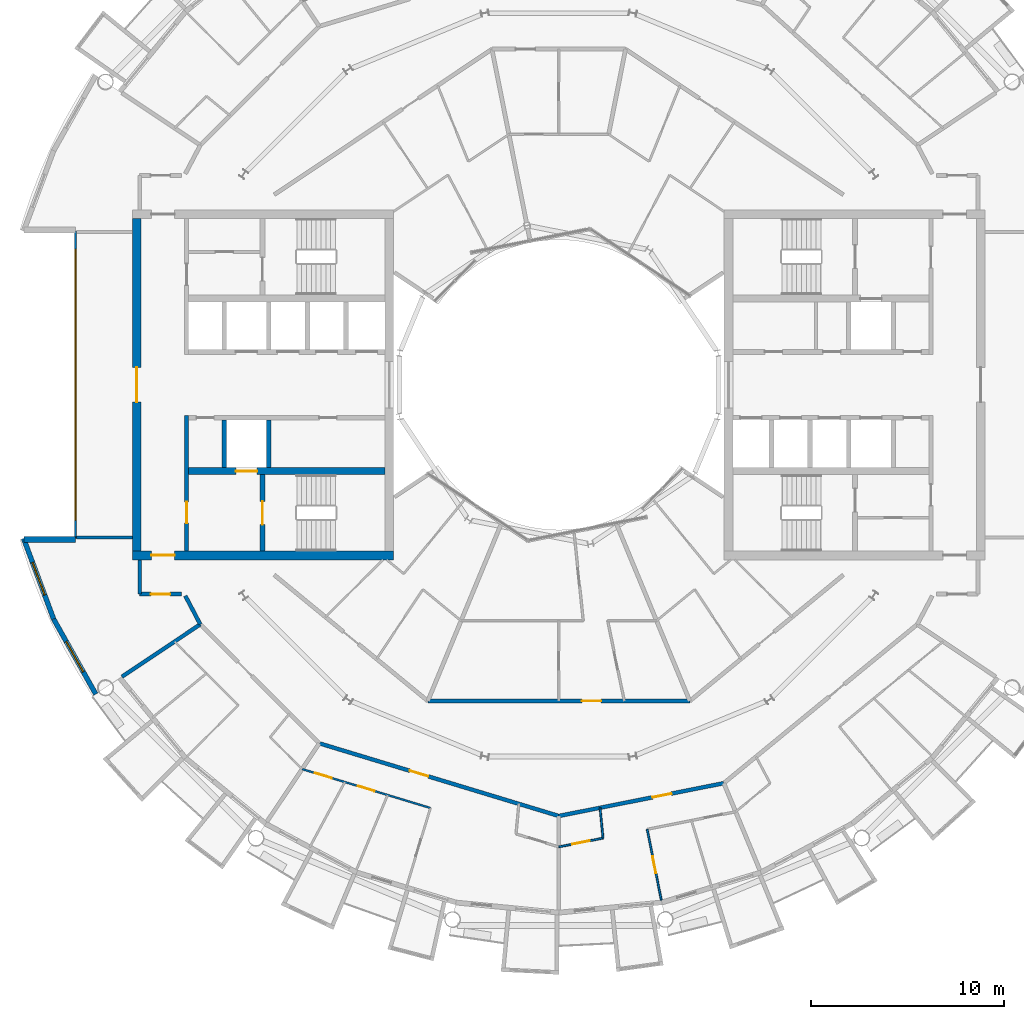
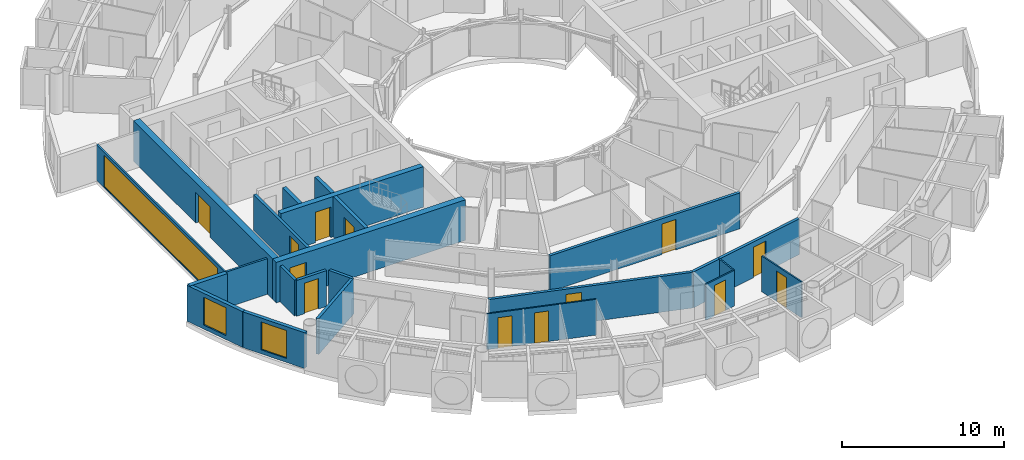
# One storey, part 16 of 28: 23 walls, 13 doors, 3 windows, 16 openings.
"""IFC4 building model written with IfcOpenShell, lengths in metres."""

from ifc_helpers import new_model, si_unit, direction, frame, frame_2d, origin, place, context, subcontext, project, spatial, rectangle, extrude, material, layer, layer_set, type_object, element, fill, save


model = new_model("IFC4")

# Units and contexts
model_context = context("Model", 3, precision=1e-05, world=origin(), true_north=direction((0.0, 1.0)))
body_context = subcontext(model_context, "Body", "Model", "MODEL_VIEW")
ifc_project = project(units=[si_unit("LENGTHUNIT", "METRE"), si_unit("AREAUNIT", "SQUARE_METRE"), si_unit("VOLUMEUNIT", "CUBIC_METRE"), si_unit("PLANEANGLEUNIT", "RADIAN"), si_unit("MASSUNIT", "GRAM", prefix="KILO")], contexts=[model_context])

# Site, building, storey
site_placement = place(None, origin())
site = spatial("IfcSite", under=ifc_project, at=site_placement, CompositionType="ELEMENT")
building_placement = place(site_placement, origin())
building = spatial("IfcBuilding", under=site, at=building_placement, Name="Maasbend Ring Residences", CompositionType="ELEMENT")
storey_placement = place(building_placement, frame((0.0, 0.0, 196.300048828125)))
storey = spatial("IfcBuildingStorey", under=building, at=storey_placement, Name="L56", CompositionType="ELEMENT", Elevation=196.300048828125)

# Wall, opening, door
ifc_material_1 = material(Name="Concrete C50/60", Category="concrete")
ifc_layer_1 = layer(ifc_material_1, 0.25)
ifc_layer_set_1 = layer_set([ifc_layer_1], Name="Concrete C50/60")
wall_type_1 = type_object("IfcWallType", Name="CORE WALL 250 C50/60", PredefinedType="SHEAR", material=ifc_layer_set_1)
wall_1_placement = place(storey_placement, frame((-15.324951171875, -4.64990234375, 0.0), z_axis=(0.0, 0.0, 1.0), x_axis=(0.0, -1.0, 0.0)))
wall_1 = element("IfcWall", 1, at=wall_1_placement, inside=storey, type_object=wall_type_1, Name="L56 core W wall STEN", PredefinedType="SHEAR", context=body_context, shape_type="SweptSolid", body=[
    extrude(rectangle(XDim=3.9501953125, YDim=0.25, at=frame_2d((1.97509765625, 0.0))), origin(), (0.0, 0.0, 1.0), 3.050048828125),
])
opening_1_placement = place(wall_1_placement, frame((1.375, 0.0, 0.0)))
opening_1 = element("IfcOpeningElement", 2, at=opening_1_placement, cuts=wall_1, Name="Opening D-W5609", PredefinedType="OPENING", context=body_context, shape_type="SweptSolid", body=[
    extrude(rectangle(XDim=1.199951171875, YDim=2.300048828125, at=frame_2d((0.60009765625, 1.14990234375))), frame((0.0, 0.135009765625, 0.0), z_axis=(0.0, -1.0, 0.0), x_axis=(1.0, 0.0, 0.0)), (0.0, 0.0, 1.0), 0.27001953125),
])
ifc_material_2 = material(Name="Steel, powder coated", Category="steel")
door_type_1 = type_object("IfcDoorType", Name="STAIR DOOR 1200 X 2300 FD60", OperationType="NOTDEFINED", PredefinedType="DOOR", material=ifc_material_2)
door_1_placement = place(opening_1_placement, origin())
door_1 = element("IfcDoor", 3, at=door_1_placement, inside=storey, type_object=door_type_1, Name="Stair door ST-W L56", OperationType="SINGLE_SWING_LEFT", OverallHeight=2.300048828125, OverallWidth=1.199951171875, PredefinedType="DOOR", context=body_context, shape_type="SweptSolid", body=[
    extrude(rectangle(XDim=1.199951171875, YDim=2.300048828125, at=frame_2d((0.60009765625, 1.14990234375))), frame((0.0, 0.02490234375, 0.0), z_axis=(0.0, -1.0, 0.0), x_axis=(1.0, 0.0, 0.0)), (0.0, 0.0, 1.0), 0.050048828125),
])
fill(opening_1, door_1)

ifc_material_3 = material(Name="Concrete C50/60", Category="concrete")
ifc_layer_2 = layer(ifc_material_3, 0.375)
ifc_layer_set_2 = layer_set([ifc_layer_2], Name="Concrete C50/60")
wall_type_2 = type_object("IfcWallType", Name="CORE WALL 375 C50/60", PredefinedType="SHEAR", material=ifc_layer_set_2)
wall_2_placement = place(storey_placement, frame((-9.0, -4.46240234375, 0.0), z_axis=(0.0, 0.0, 1.0), x_axis=(-1.0, 0.0, 0.0)))
wall_2 = element("IfcWall", 4, at=wall_2_placement, inside=storey, type_object=wall_type_2, Name="L56 core W wall BN", PredefinedType="SHEAR", context=body_context, shape_type="SweptSolid", body=[
    extrude(rectangle(XDim=10.14990234375, YDim=0.375, at=frame_2d((5.074951171875, 0.0))), origin(), (0.0, 0.0, 1.0), 3.050048828125),
])
opening_2_placement = place(wall_2_placement, frame((6.60009765625, 0.0, 0.0)))
opening_2 = element("IfcOpeningElement", 5, at=opening_2_placement, cuts=wall_2, Name="Opening LD-W5601", PredefinedType="OPENING", context=body_context, shape_type="SweptSolid", body=[
    extrude(rectangle(XDim=1.10009765625, YDim=2.300048828125, at=frame_2d((0.550048828125, 1.14990234375))), frame((0.0, 0.197509765625, 0.0), z_axis=(0.0, -1.0, 0.0), x_axis=(1.0, 0.0, 0.0)), (0.0, 0.0, 1.0), 0.39501953125),
])
ifc_material_4 = material(Name="Stainless steel 316", Category="steel")
door_type_2 = type_object("IfcDoorType", Name="LANDING DOOR 1100 X 2300 FD60", OperationType="DOUBLE_DOOR_SLIDING", PredefinedType="DOOR", material=ifc_material_4)
door_2_placement = place(opening_2_placement, origin())
door_2 = element("IfcDoor", 6, at=door_2_placement, inside=storey, type_object=door_type_2, Name="Landing door FF-W L56", OperationType="DOUBLE_DOOR_SLIDING", OverallHeight=2.300048828125, OverallWidth=1.10009765625, PredefinedType="DOOR", context=body_context, shape_type="SweptSolid", body=[
    extrude(rectangle(XDim=1.10009765625, YDim=2.300048828125, at=frame_2d((0.550048828125, 1.14990234375))), frame((0.0, 0.02490234375, 0.0), z_axis=(0.0, -1.0, 0.0), x_axis=(1.0, 0.0, 0.0)), (0.0, 0.0, 1.0), 0.050048828125),
])
fill(opening_2, door_2)

ifc_material_5 = material(Name="Concrete C50/60", Category="concrete")
ifc_layer_3 = layer(ifc_material_5, 0.449951171875)
ifc_layer_set_3 = layer_set([ifc_layer_3], Name="Concrete C50/60")
wall_type_3 = type_object("IfcWallType", Name="CORE WALL 450 C50/60", PredefinedType="SHEAR", material=ifc_layer_set_3)
wall_3_placement = place(storey_placement, frame((-22.050048828125, -8.824951171875, 0.0), z_axis=(0.0, 0.0, 1.0), x_axis=(1.0, 0.0, 0.0)))
wall_3 = element("IfcWall", 7, at=wall_3_placement, inside=storey, type_object=wall_type_3, Name="L56 core W wall PN", PredefinedType="SHEAR", context=body_context, shape_type="SweptSolid", body=[
    extrude(rectangle(XDim=13.5, YDim=0.449951171875, at=frame_2d((6.75, 0.0))), origin(), (0.0, 0.0, 1.0), 3.050048828125),
])
opening_3_placement = place(wall_3_placement, frame((0.97509765625, 0.0, 0.0)))
opening_3 = element("IfcOpeningElement", 8, at=opening_3_placement, cuts=wall_3, Name="Opening D-W5613", PredefinedType="OPENING", context=body_context, shape_type="SweptSolid", body=[
    extrude(rectangle(XDim=1.199951171875, YDim=2.300048828125, at=frame_2d((0.60009765625, 1.14990234375))), frame((0.0, 0.23486328125, 0.0), z_axis=(0.0, -1.0, 0.0), x_axis=(1.0, 0.0, 0.0)), (0.0, 0.0, 1.0), 0.469970703125),
])
ifc_material_6 = material(Name="Steel, powder coated", Category="steel")
door_type_3 = type_object("IfcDoorType", Name="CORRIDOR DOOR 1200 X 2300 FD30S", OperationType="NOTDEFINED", PredefinedType="DOOR", material=ifc_material_6)
door_3_placement = place(opening_3_placement, origin())
door_3 = element("IfcDoor", 9, at=door_3_placement, inside=storey, type_object=door_type_3, Name="Corridor door L56", OperationType="SINGLE_SWING_RIGHT", OverallHeight=2.300048828125, OverallWidth=1.199951171875, PredefinedType="DOOR", context=body_context, shape_type="SweptSolid", body=[
    extrude(rectangle(XDim=1.199951171875, YDim=2.300048828125, at=frame_2d((0.60009765625, 1.14990234375))), frame((0.0, 0.02490234375, 0.0), z_axis=(0.0, -1.0, 0.0), x_axis=(1.0, 0.0, 0.0)), (0.0, 0.0, 1.0), 0.050048828125),
])
fill(opening_3, door_3)

wall_4_placement = place(storey_placement, frame((-21.824951171875, -8.60009765625, 0.0), z_axis=(0.0, 0.0, 1.0), x_axis=(0.0, 1.0, 0.0)))
wall_4 = element("IfcWall", 10, at=wall_4_placement, inside=storey, type_object=wall_type_3, Name="L56 core W wall POUT", PredefinedType="SHEAR", context=body_context, shape_type="SweptSolid", body=[
    extrude(rectangle(XDim=17.2001953125, YDim=0.449951171875, at=frame_2d((8.60009765625, 0.0))), origin(), (0.0, 0.0, 1.0), 3.050048828125),
])
opening_4_placement = place(wall_4_placement, frame((7.699951171875, 0.0, 0.0)))
opening_4 = element("IfcOpeningElement", 11, at=opening_4_placement, cuts=wall_4, Name="Opening D-W5615", PredefinedType="OPENING", context=body_context, shape_type="SweptSolid", body=[
    extrude(rectangle(XDim=1.800048828125, YDim=2.300048828125, at=frame_2d((0.89990234375, 1.14990234375))), frame((0.0, 0.23486328125, 0.0), z_axis=(0.0, -1.0, 0.0), x_axis=(1.0, 0.0, 0.0)), (0.0, 0.0, 1.0), 0.469970703125),
])
ifc_material_7 = material(Name="Aluminium frame, clear glass", Category="aluminium")
door_type_4 = type_object("IfcDoorType", Name="ENTRANCE DOOR 1800 X 2300 FD60", OperationType="NOTDEFINED", PredefinedType="DOOR", material=ifc_material_7)
door_4_placement = place(opening_4_placement, origin())
door_4 = element("IfcDoor", 12, at=door_4_placement, inside=storey, type_object=door_type_4, Name="Lobby glazed door L56", OperationType="SINGLE_SWING_LEFT", OverallHeight=2.300048828125, OverallWidth=1.800048828125, PredefinedType="DOOR", context=body_context, shape_type="SweptSolid", body=[
    extrude(rectangle(XDim=1.800048828125, YDim=2.300048828125, at=frame_2d((0.89990234375, 1.14990234375))), frame((0.0, 0.02490234375, 0.0), z_axis=(0.0, -1.0, 0.0), x_axis=(1.0, 0.0, 0.0)), (0.0, 0.0, 1.0), 0.050048828125),
])
fill(opening_4, door_4)

# Wall
ifc_material_8 = material(Name="Concrete C30/37", Category="concrete")
ifc_layer_4 = layer(ifc_material_8, 0.199951171875)
ifc_layer_set_4 = layer_set([ifc_layer_4], Name="Concrete C30/37")
wall_type_4 = type_object("IfcWallType", Name="CORRIDOR WALL 200 CONCRETE", PredefinedType="PARTITIONING", material=ifc_layer_set_4)
wall_5_placement = place(storey_placement, frame((-19.31689453125, -10.9150390625, 0.0), z_axis=(0.0, 0.0, 1.0), x_axis=(0.465359652486, -0.885121683068, 0.0)))
element("IfcWall", 13, at=wall_5_placement, inside=storey, type_object=wall_type_4, Name="U-L56-w009", PredefinedType="PARTITIONING", context=body_context, shape_type="SweptSolid", body=[
    extrude(rectangle(XDim=1.665283203125, YDim=0.199951171875, at=frame_2d((0.83251953125, 0.0))), origin(), (0.0, 0.0, 1.0), 2.699951171875),
])

# Wall, opening, door
wall_6_placement = place(storey_placement, frame((0.0, -22.300048828125, 0.0), z_axis=(0.0, 0.0, 1.0), x_axis=(0.980813117615, 0.194950322682, 0.0)))
wall_6 = element("IfcWall", 14, at=wall_6_placement, inside=storey, type_object=wall_type_4, Name="U-L56-w012", PredefinedType="PARTITIONING", context=body_context, shape_type="SweptSolid", body=[
    extrude(rectangle(XDim=8.699951171875, YDim=0.199951171875, at=frame_2d((4.35009765625, 0.0))), origin(), (0.0, 0.0, 1.0), 2.699951171875),
])
opening_5_placement = place(wall_6_placement, frame((4.93798828125, 0.0, 0.0)))
opening_5 = element("IfcOpeningElement", 15, at=opening_5_placement, cuts=wall_6, Name="Opening D-5640", PredefinedType="OPENING", context=body_context, shape_type="SweptSolid", body=[
    extrude(rectangle(XDim=1.0, YDim=2.300048828125, at=frame_2d((0.5, 1.14990234375))), frame((0.0, 0.10986328125, 0.0), z_axis=(0.0, -1.0, 0.0), x_axis=(1.0, 0.0, 0.0)), (0.0, 0.0, 1.0), 0.219970703125),
])
ifc_material_9 = material(Name="Timber, fire-rated, painted", Category="wood")
door_type_5 = type_object("IfcDoorType", Name="FLAT ENTRANCE DOOR 1000 X 2300 FIRE-RATED", OperationType="NOTDEFINED", PredefinedType="DOOR", material=ifc_material_9)
door_5_placement = place(opening_5_placement, origin())
door_5 = element("IfcDoor", 16, at=door_5_placement, inside=storey, type_object=door_type_5, Name="D-5640", OperationType="SINGLE_SWING_RIGHT", OverallHeight=2.300048828125, OverallWidth=1.0, PredefinedType="DOOR", context=body_context, shape_type="SweptSolid", body=[
    extrude(rectangle(XDim=1.0, YDim=2.300048828125, at=frame_2d((0.5, 1.14990234375))), frame((0.0, 0.02490234375, 0.0), z_axis=(0.0, -1.0, 0.0), x_axis=(1.0, 0.0, 0.0)), (0.0, 0.0, 1.0), 0.050048828125),
])
fill(opening_5, door_5)

wall_7_placement = place(storey_placement, frame((-12.388916015625, -18.5419921875, 0.0), z_axis=(0.0, 0.0, 1.0), x_axis=(0.956942051091, -0.290279022415, 0.0)))
wall_7 = element("IfcWall", 17, at=wall_7_placement, inside=storey, type_object=wall_type_4, Name="U-L56-w015", PredefinedType="PARTITIONING", context=body_context, shape_type="SweptSolid", body=[
    extrude(rectangle(XDim=12.9462890625, YDim=0.199951171875, at=frame_2d((6.47314453125, 0.0))), origin(), (0.0, 0.0, 1.0), 2.699951171875),
])
opening_6_placement = place(wall_7_placement, frame((4.89501953125, 0.0, 0.0)))
opening_6 = element("IfcOpeningElement", 18, at=opening_6_placement, cuts=wall_7, Name="Opening D-5635", PredefinedType="OPENING", context=body_context, shape_type="SweptSolid", body=[
    extrude(rectangle(XDim=1.0, YDim=2.300048828125, at=frame_2d((0.5, 1.14990234375))), frame((0.0, 0.10986328125, 0.0), z_axis=(0.0, -1.0, 0.0), x_axis=(1.0, 0.0, 0.0)), (0.0, 0.0, 1.0), 0.219970703125),
])
door_6_placement = place(opening_6_placement, origin())
door_6 = element("IfcDoor", 19, at=door_6_placement, inside=storey, type_object=door_type_5, Name="D-5635", OperationType="SINGLE_SWING_LEFT", OverallHeight=2.300048828125, OverallWidth=1.0, PredefinedType="DOOR", context=body_context, shape_type="SweptSolid", body=[
    extrude(rectangle(XDim=1.0, YDim=2.300048828125, at=frame_2d((0.5, 1.14990234375))), frame((0.0, 0.02490234375, 0.0), z_axis=(0.0, -1.0, 0.0), x_axis=(1.0, 0.0, 0.0)), (0.0, 0.0, 1.0), 0.050048828125),
])
fill(opening_6, door_6)

wall_8_placement = place(storey_placement, frame((-6.77294921875, -16.35302734375, 0.0), z_axis=(0.0, 0.0, 1.0), x_axis=(1.0, 0.0, 0.0)))
wall_8 = element("IfcWall", 20, at=wall_8_placement, inside=storey, type_object=wall_type_4, Name="U-L56-w019", PredefinedType="PARTITIONING", context=body_context, shape_type="SweptSolid", body=[
    extrude(rectangle(XDim=13.5458984375, YDim=0.199951171875, at=frame_2d((6.77294921875, 0.0))), origin(), (0.0, 0.0, 1.0), 2.699951171875),
])
opening_7_placement = place(wall_8_placement, frame((7.966064453125, 0.0, 0.0)))
opening_7 = element("IfcOpeningElement", 21, at=opening_7_placement, cuts=wall_8, Name="Opening D-5653", PredefinedType="OPENING", context=body_context, shape_type="SweptSolid", body=[
    extrude(rectangle(XDim=1.0, YDim=2.300048828125, at=frame_2d((0.5, 1.14990234375))), frame((0.0, 0.10986328125, 0.0), z_axis=(0.0, -1.0, 0.0), x_axis=(1.0, 0.0, 0.0)), (0.0, 0.0, 1.0), 0.219970703125),
])
door_7_placement = place(opening_7_placement, origin())
door_7 = element("IfcDoor", 22, at=door_7_placement, inside=storey, type_object=door_type_5, Name="D-5653", OperationType="SINGLE_SWING_RIGHT", OverallHeight=2.300048828125, OverallWidth=1.0, PredefinedType="DOOR", context=body_context, shape_type="SweptSolid", body=[
    extrude(rectangle(XDim=1.0, YDim=2.300048828125, at=frame_2d((0.5, 1.14990234375))), frame((0.0, 0.02490234375, 0.0), z_axis=(0.0, -1.0, 0.0), x_axis=(1.0, 0.0, 0.0)), (0.0, 0.0, 1.0), 0.050048828125),
])
fill(opening_7, door_7)

wall_9_placement = place(storey_placement, frame((-21.675048828125, -10.824951171875, 0.0), z_axis=(0.0, 0.0, 1.0), x_axis=(1.0, 0.0, 0.0)))
wall_9 = element("IfcWall", 23, at=wall_9_placement, inside=storey, type_object=wall_type_4, Name="U-L56-w026", PredefinedType="PARTITIONING", context=body_context, shape_type="SweptSolid", body=[
    extrude(rectangle(XDim=2.152099609375, YDim=0.199951171875, at=frame_2d((1.076171875, 0.0))), origin(), (0.0, 0.0, 1.0), 2.699951171875),
])
opening_8_placement = place(wall_9_placement, frame((0.575927734375, 0.0, 0.0)))
opening_8 = element("IfcOpeningElement", 24, at=opening_8_placement, cuts=wall_9, Name="Opening D-5661", PredefinedType="OPENING", context=body_context, shape_type="SweptSolid", body=[
    extrude(rectangle(XDim=1.0, YDim=2.300048828125, at=frame_2d((0.5, 1.14990234375))), frame((0.0, 0.10986328125, 0.0), z_axis=(0.0, -1.0, 0.0), x_axis=(1.0, 0.0, 0.0)), (0.0, 0.0, 1.0), 0.219970703125),
])
ifc_material_10 = material(Name="Timber, painted", Category="wood")
door_type_6 = type_object("IfcDoorType", Name="ROOM DOOR 1000 X 2300", OperationType="NOTDEFINED", PredefinedType="DOOR", material=ifc_material_10)
door_8_placement = place(opening_8_placement, origin())
door_8 = element("IfcDoor", 25, at=door_8_placement, inside=storey, type_object=door_type_6, Name="D-5661", OperationType="SINGLE_SWING_LEFT", OverallHeight=2.300048828125, OverallWidth=1.0, PredefinedType="DOOR", context=body_context, shape_type="SweptSolid", body=[
    extrude(rectangle(XDim=1.0, YDim=2.300048828125, at=frame_2d((0.5, 1.14990234375))), frame((0.0, 0.02490234375, 0.0), z_axis=(0.0, -1.0, 0.0), x_axis=(1.0, 0.0, 0.0)), (0.0, 0.0, 1.0), 0.050048828125),
])
fill(opening_8, door_8)

# Wall
wall_10_placement = place(storey_placement, frame((-21.675048828125, -10.824951171875, 0.0), z_axis=(0.0, 0.0, 1.0), x_axis=(0.0, 1.0, 0.0)))
element("IfcWall", 26, at=wall_10_placement, inside=storey, type_object=wall_type_4, Name="U-L56-w105", PredefinedType="PARTITIONING", context=body_context, shape_type="SweptSolid", body=[
    extrude(rectangle(XDim=1.77490234375, YDim=0.199951171875, at=frame_2d((0.887451171875, 0.0))), origin(), (0.0, 0.0, 1.0), 2.699951171875),
])

# Wall, opening, window
ifc_material_11 = material(Name="Aluminium clad insulated panel", Category="aluminium")
ifc_layer_5 = layer(ifc_material_11, 0.25)
ifc_layer_set_5 = layer_set([ifc_layer_5], Name="EW-HORN")
wall_type_5 = type_object("IfcWallType", Name="EW-HORN", PredefinedType="SOLIDWALL", material=ifc_layer_set_5)
wall_11_placement = place(storey_placement, frame((-27.681884765625, -7.945068359375, 0.0), z_axis=(0.0, 0.0, 1.0), x_axis=(0.349247811493, -0.937030397675, 0.0)))
wall_11 = element("IfcWall", 27, at=wall_11_placement, inside=storey, type_object=wall_type_5, Name="Horn wall 3.1", PredefinedType="SOLIDWALL", context=body_context, shape_type="SweptSolid", body=[
    extrude(rectangle(XDim=4.4521484375, YDim=0.25, at=frame_2d((2.22607421875, 0.0))), origin(), (0.0, 0.0, 1.0), 2.699951171875),
])
opening_9_placement = place(wall_11_placement, frame((1.32666015625, 0.0, 0.300048828125)))
opening_9 = element("IfcOpeningElement", 28, at=opening_9_placement, cuts=wall_11, Name="Opening W-BX", PredefinedType="OPENING", context=body_context, shape_type="SweptSolid", body=[
    extrude(rectangle(XDim=1.800048828125, YDim=2.10009765625, at=frame_2d((0.89990234375, 1.050048828125))), frame((0.0, 0.135009765625, 0.0), z_axis=(0.0, -1.0, 0.0), x_axis=(1.0, 0.0, 0.0)), (0.0, 0.0, 1.0), 0.27001953125),
])
ifc_material_12 = material(Name="Aluminium and clear glass", Category="aluminium")
window_type_1 = type_object("IfcWindowType", Name="W-BX", PartitioningType="DOUBLE_PANEL_VERTICAL", PredefinedType="WINDOW", material=ifc_material_12)
window_1_placement = place(opening_9_placement, origin())
window_1 = element("IfcWindow", 29, at=window_1_placement, inside=storey, type_object=window_type_1, Name="Horn window 3.1", OverallHeight=2.10009765625, OverallWidth=1.800048828125, PartitioningType="SINGLE_PANEL", PredefinedType="WINDOW", context=body_context, shape_type="SweptSolid", body=[
    extrude(rectangle(XDim=1.800048828125, YDim=2.10009765625, at=frame_2d((0.89990234375, 1.050048828125))), frame((0.0, 0.030029296875, 0.0), z_axis=(0.0, -1.0, 0.0), x_axis=(1.0, 0.0, 0.0)), (0.0, 0.0, 1.0), 0.06005859375),
])
fill(opening_9, window_1)

wall_12_placement = place(storey_placement, frame((-26.126953125, -12.116943359375, 0.0), z_axis=(0.0, 0.0, 1.0), x_axis=(0.489696356642, -0.871893042919, 0.0)))
wall_12 = element("IfcWall", 30, at=wall_12_placement, inside=storey, type_object=wall_type_5, Name="Horn wall 3.2", PredefinedType="SOLIDWALL", context=body_context, shape_type="SweptSolid", body=[
    extrude(rectangle(XDim=4.45361328125, YDim=0.25, at=frame_2d((2.226806640625, 0.0))), origin(), (0.0, 0.0, 1.0), 2.699951171875),
])
opening_10_placement = place(wall_12_placement, frame((1.32666015625, 0.0, 0.300048828125)))
opening_10 = element("IfcOpeningElement", 31, at=opening_10_placement, cuts=wall_12, Name="Opening W-BX", PredefinedType="OPENING", context=body_context, shape_type="SweptSolid", body=[
    extrude(rectangle(XDim=1.800048828125, YDim=2.10009765625, at=frame_2d((0.89990234375, 1.050048828125))), frame((0.0, 0.135009765625, 0.0), z_axis=(0.0, -1.0, 0.0), x_axis=(1.0, 0.0, 0.0)), (0.0, 0.0, 1.0), 0.27001953125),
])
window_2_placement = place(opening_10_placement, origin())
window_2 = element("IfcWindow", 32, at=window_2_placement, inside=storey, type_object=window_type_1, Name="Horn window 3.2", OverallHeight=2.10009765625, OverallWidth=1.800048828125, PartitioningType="SINGLE_PANEL", PredefinedType="WINDOW", context=body_context, shape_type="SweptSolid", body=[
    extrude(rectangle(XDim=1.800048828125, YDim=2.10009765625, at=frame_2d((0.89990234375, 1.050048828125))), frame((0.0, 0.030029296875, 0.0), z_axis=(0.0, -1.0, 0.0), x_axis=(1.0, 0.0, 0.0)), (0.0, 0.0, 1.0), 0.06005859375),
])
fill(opening_10, window_2)

# Wall
ifc_material_13 = material(Name="Aluminium clad insulated panel", Category="aluminium")
ifc_layer_6 = layer(ifc_material_13, 0.300048828125)
ifc_layer_set_6 = layer_set([ifc_layer_6], Name="EW-RET")
wall_type_6 = type_object("IfcWallType", Name="EW-RET", PredefinedType="SOLIDWALL", material=ifc_layer_set_6)
wall_13_placement = place(storey_placement, frame((-25.0, -8.0, 0.0), z_axis=(0.0, 0.0, 1.0), x_axis=(-1.0, 0.0, 0.0)))
element("IfcWall", 33, at=wall_13_placement, inside=storey, type_object=wall_type_6, Name="Notch return wall west south", PredefinedType="SOLIDWALL", context=body_context, shape_type="SweptSolid", body=[
    extrude(rectangle(XDim=2.6669921875, YDim=0.300048828125, at=frame_2d((1.33349609375, 0.0))), origin(), (0.0, 0.0, 1.0), 2.699951171875),
])

# Wall, opening, window
ifc_material_14 = material(Name="Aluminium frame and clear glass", Category="aluminium")
ifc_layer_7 = layer(ifc_material_14, 0.1201171875)
ifc_layer_set_7 = layer_set([ifc_layer_7], Name="GLAZED SCREEN WALL 120 EI 60")
wall_type_7 = type_object("IfcWallType", Name="GLAZED SCREEN WALL 120 EI 60", PredefinedType="PARTITIONING", material=ifc_layer_set_7)
wall_14_placement = place(storey_placement, frame((-25.0, 7.949951171875, 0.0), z_axis=(0.0, 0.0, 1.0), x_axis=(0.0, -1.0, 0.0)))
wall_14 = element("IfcWall", 34, at=wall_14_placement, inside=storey, type_object=wall_type_7, Name="L56 core W wall FACE", PredefinedType="PARTITIONING", context=body_context, shape_type="SweptSolid", body=[
    extrude(rectangle(XDim=15.89990234375, YDim=0.1201171875, at=frame_2d((7.949951171875, 0.0))), origin(), (0.0, 0.0, 1.0), 2.699951171875),
])
opening_11_placement = place(wall_14_placement, frame((0.949951171875, 0.0, 0.10009765625)))
opening_11 = element("IfcOpeningElement", 35, at=opening_11_placement, cuts=wall_14, Name="Opening W-W5602", PredefinedType="OPENING", context=body_context, shape_type="SweptSolid", body=[
    extrude(rectangle(XDim=14.0, YDim=2.35009765625, at=frame_2d((7.0, 1.175048828125))), frame((0.0, 0.070068359375, 0.0), z_axis=(0.0, -1.0, 0.0), x_axis=(1.0, 0.0, 0.0)), (0.0, 0.0, 1.0), 0.14013671875),
])
ifc_material_15 = material(Name="Aluminium frame and clear glass", Category="aluminium")
window_type_2 = type_object("IfcWindowType", Name="FIXED WINDOW 14000 X 2350", PartitioningType="SINGLE_PANEL", PredefinedType="WINDOW", material=ifc_material_15)
window_3_placement = place(opening_11_placement, origin())
window_3 = element("IfcWindow", 36, at=window_3_placement, inside=storey, type_object=window_type_2, Name="Lobby window L56", OverallHeight=2.35009765625, OverallWidth=14.0, PartitioningType="SINGLE_PANEL", PredefinedType="WINDOW", context=body_context, shape_type="SweptSolid", body=[
    extrude(rectangle(XDim=14.0, YDim=2.35009765625, at=frame_2d((7.0, 1.175048828125))), frame((0.0, 0.030029296875, 0.0), z_axis=(0.0, -1.0, 0.0), x_axis=(1.0, 0.0, 0.0)), (0.0, 0.0, 1.0), 0.06005859375),
])
fill(opening_11, window_3)

# Wall, opening, door
ifc_material_16 = material(Name="Gypsum board on steel studs", Category="steel")
ifc_layer_8 = layer(ifc_material_16, 0.10009765625)
ifc_layer_set_8 = layer_set([ifc_layer_8], Name="PARTITION 100 GYPSUM")
wall_type_8 = type_object("IfcWallType", Name="PARTITION 100 GYPSUM", PredefinedType="PARTITIONING", material=ifc_layer_set_8)
wall_15_placement = place(storey_placement, frame((0.0, -23.89990234375, 0.0), z_axis=(0.0, 0.0, 1.0), x_axis=(0.98079351414, 0.19504892366, 0.0)))
wall_15 = element("IfcWall", 37, at=wall_15_placement, inside=storey, type_object=wall_type_8, Name="U-L56-w003", PredefinedType="PARTITIONING", context=body_context, shape_type="SweptSolid", body=[
    extrude(rectangle(XDim=2.331787109375, YDim=0.10009765625, at=frame_2d((1.166015625, 0.0))), origin(), (0.0, 0.0, 1.0), 2.699951171875),
])
opening_12_placement = place(wall_15_placement, frame((0.716064453125, 0.0, 0.0)))
opening_12 = element("IfcOpeningElement", 38, at=opening_12_placement, cuts=wall_15, Name="Opening D-5641", PredefinedType="OPENING", context=body_context, shape_type="SweptSolid", body=[
    extrude(rectangle(XDim=0.89990234375, YDim=2.300048828125, at=frame_2d((0.449951171875, 1.14990234375))), frame((0.0, 0.06005859375, 0.0), z_axis=(0.0, -1.0, 0.0), x_axis=(1.0, 0.0, 0.0)), (0.0, 0.0, 1.0), 0.1201171875),
])
ifc_material_17 = material(Name="Timber, painted", Category="wood")
door_type_7 = type_object("IfcDoorType", Name="INTERNAL DOOR 900 X 2300", OperationType="NOTDEFINED", PredefinedType="DOOR", material=ifc_material_17)
door_9_placement = place(opening_12_placement, origin())
door_9 = element("IfcDoor", 39, at=door_9_placement, inside=storey, type_object=door_type_7, Name="D-5641", OperationType="SINGLE_SWING_LEFT", OverallHeight=2.300048828125, OverallWidth=0.89990234375, PredefinedType="DOOR", context=body_context, shape_type="SweptSolid", body=[
    extrude(rectangle(XDim=0.89990234375, YDim=2.300048828125, at=frame_2d((0.449951171875, 1.14990234375))), frame((0.0, 0.02490234375, 0.0), z_axis=(0.0, -1.0, 0.0), x_axis=(1.0, 0.0, 0.0)), (0.0, 0.0, 1.0), 0.050048828125),
])
fill(opening_12, door_9)

# Wall, openings, doors
wall_16_placement = place(storey_placement, frame((-13.279052734375, -19.8740234375, 0.0), z_axis=(0.0, 0.0, 1.0), x_axis=(0.956989789119, -0.290121601266, 0.0)))
wall_16 = element("IfcWall", 40, at=wall_16_placement, inside=storey, type_object=wall_type_8, Name="U-L56-w005", PredefinedType="PARTITIONING", context=body_context, shape_type="SweptSolid", body=[
    extrude(rectangle(XDim=6.941650390625, YDim=0.10009765625, at=frame_2d((3.470703125, 0.0))), origin(), (0.0, 0.0, 1.0), 2.699951171875),
])
opening_13_placement = place(wall_16_placement, frame((3.02197265625, 0.0, 0.0)))
opening_13 = element("IfcOpeningElement", 41, at=opening_13_placement, cuts=wall_16, Name="Opening D-5638", PredefinedType="OPENING", context=body_context, shape_type="SweptSolid", body=[
    extrude(rectangle(XDim=0.89990234375, YDim=2.300048828125, at=frame_2d((0.449951171875, 1.14990234375))), frame((0.0, 0.06005859375, 0.0), z_axis=(0.0, -1.0, 0.0), x_axis=(1.0, 0.0, 0.0)), (0.0, 0.0, 1.0), 0.1201171875),
])
opening_14_placement = place(wall_16_placement, frame((0.705078125, 0.0, 0.0)))
opening_14 = element("IfcOpeningElement", 42, at=opening_14_placement, cuts=wall_16, Name="Opening D-5639", PredefinedType="OPENING", context=body_context, shape_type="SweptSolid", body=[
    extrude(rectangle(XDim=0.89990234375, YDim=2.300048828125, at=frame_2d((0.449951171875, 1.14990234375))), frame((0.0, 0.06005859375, 0.0), z_axis=(0.0, -1.0, 0.0), x_axis=(1.0, 0.0, 0.0)), (0.0, 0.0, 1.0), 0.1201171875),
])
door_10_placement = place(opening_13_placement, origin())
door_10 = element("IfcDoor", 43, at=door_10_placement, inside=storey, type_object=door_type_7, Name="D-5638", OperationType="SINGLE_SWING_RIGHT", OverallHeight=2.300048828125, OverallWidth=0.89990234375, PredefinedType="DOOR", context=body_context, shape_type="SweptSolid", body=[
    extrude(rectangle(XDim=0.89990234375, YDim=2.300048828125, at=frame_2d((0.449951171875, 1.14990234375))), frame((0.0, 0.02490234375, 0.0), z_axis=(0.0, -1.0, 0.0), x_axis=(1.0, 0.0, 0.0)), (0.0, 0.0, 1.0), 0.050048828125),
])
fill(opening_13, door_10)
door_11_placement = place(opening_14_placement, origin())
door_11 = element("IfcDoor", 44, at=door_11_placement, inside=storey, type_object=door_type_7, Name="D-5639", OperationType="SINGLE_SWING_LEFT", OverallHeight=2.300048828125, OverallWidth=0.89990234375, PredefinedType="DOOR", context=body_context, shape_type="SweptSolid", body=[
    extrude(rectangle(XDim=0.89990234375, YDim=2.300048828125, at=frame_2d((0.449951171875, 1.14990234375))), frame((0.0, 0.02490234375, 0.0), z_axis=(0.0, -1.0, 0.0), x_axis=(1.0, 0.0, 0.0)), (0.0, 0.0, 1.0), 0.050048828125),
])
fill(opening_14, door_11)

# Wall
wall_17_placement = place(storey_placement, frame((2.133056640625, -21.8759765625, 0.0), z_axis=(0.0, 0.0, 1.0), x_axis=(0.097709761212, -0.995214952944, 0.0)))
element("IfcWall", 45, at=wall_17_placement, inside=storey, type_object=wall_type_8, Name="U-L56-w032", PredefinedType="PARTITIONING", context=body_context, shape_type="SweptSolid", body=[
    extrude(rectangle(XDim=1.57666015625, YDim=0.10009765625, at=frame_2d((0.788330078125, 0.0))), origin(), (0.0, 0.0, 1.0), 2.699951171875),
])

# Wall, opening, door
wall_18_placement = place(storey_placement, frame((4.572998046875, -22.989990234375, 0.0), z_axis=(0.0, 0.0, 1.0), x_axis=(0.19518582438, -0.980766278968, 0.0)))
wall_18 = element("IfcWall", 46, at=wall_18_placement, inside=storey, type_object=wall_type_8, Name="U-L56-w069", PredefinedType="PARTITIONING", context=body_context, shape_type="SweptSolid", body=[
    extrude(rectangle(XDim=3.73486328125, YDim=0.10009765625, at=frame_2d((1.867431640625, 0.0))), origin(), (0.0, 0.0, 1.0), 2.699951171875),
])
opening_15_placement = place(wall_18_placement, frame((1.4169921875, 0.0, 0.0)))
opening_15 = element("IfcOpeningElement", 47, at=opening_15_placement, cuts=wall_18, Name="Opening D-5642", PredefinedType="OPENING", context=body_context, shape_type="SweptSolid", body=[
    extrude(rectangle(XDim=0.89990234375, YDim=2.300048828125, at=frame_2d((0.449951171875, 1.14990234375))), frame((0.0, 0.06005859375, 0.0), z_axis=(0.0, -1.0, 0.0), x_axis=(1.0, 0.0, 0.0)), (0.0, 0.0, 1.0), 0.1201171875),
])
door_12_placement = place(opening_15_placement, origin())
door_12 = element("IfcDoor", 48, at=door_12_placement, inside=storey, type_object=door_type_7, Name="D-5642", OperationType="SINGLE_SWING_LEFT", OverallHeight=2.300048828125, OverallWidth=0.89990234375, PredefinedType="DOOR", context=body_context, shape_type="SweptSolid", body=[
    extrude(rectangle(XDim=0.89990234375, YDim=2.300048828125, at=frame_2d((0.449951171875, 1.14990234375))), frame((0.0, 0.02490234375, 0.0), z_axis=(0.0, -1.0, 0.0), x_axis=(1.0, 0.0, 0.0)), (0.0, 0.0, 1.0), 0.050048828125),
])
fill(opening_15, door_12)

# Walls
ifc_material_18 = material(Name="Gypsum board on steel studs", Category="steel")
ifc_layer_9 = layer(ifc_material_18, 0.14990234375)
ifc_layer_set_9 = layer_set([ifc_layer_9], Name="PARTITION 150 EI 60")
wall_type_9 = type_object("IfcWallType", Name="PARTITION 150 EI 60", PredefinedType="PARTITIONING", material=ifc_layer_set_9)
wall_19_placement = place(storey_placement, frame((-22.050048828125, -7.89990234375, 0.0), z_axis=(0.0, 0.0, 1.0), x_axis=(-1.0, 0.0, 0.0)))
element("IfcWall", 49, at=wall_19_placement, inside=storey, type_object=wall_type_9, Name="L56 core W wall CITN", PredefinedType="PARTITIONING", context=body_context, shape_type="SweptSolid", body=[
    extrude(rectangle(XDim=2.889892578125, YDim=0.14990234375, at=frame_2d((1.44482421875, 0.0))), origin(), (0.0, 0.0, 1.0), 2.699951171875),
])
ifc_material_19 = material(Name="Concrete C30/37", Category="concrete")
ifc_layer_10 = layer(ifc_material_19, 0.199951171875)
ifc_layer_set_10 = layer_set([ifc_layer_10], Name="Concrete C30/37")
wall_type_10 = type_object("IfcWallType", Name="PARTY WALL 200 CONCRETE", PredefinedType="PARTITIONING", material=ifc_layer_set_10)
wall_20_placement = place(storey_placement, frame((-22.594970703125, -15.097900390625, 0.0), z_axis=(0.0, 0.0, 1.0), x_axis=(0.831387096605, 0.55569370664, 0.0)))
element("IfcWall", 50, at=wall_20_placement, inside=storey, type_object=wall_type_10, Name="U-L56-w033", PredefinedType="PARTITIONING", context=body_context, shape_type="SweptSolid", body=[
    extrude(rectangle(XDim=4.875, YDim=0.199951171875, at=frame_2d((2.4375, 0.0))), origin(), (0.0, 0.0, 1.0), 2.699951171875),
])

# Wall, opening, door
ifc_material_20 = material(Name="Concrete C30/37", Category="concrete")
ifc_layer_11 = layer(ifc_material_20, 0.199951171875)
ifc_layer_set_11 = layer_set([ifc_layer_11], Name="Concrete C30/37")
wall_type_11 = type_object("IfcWallType", Name="SHAFT WALL 200 EI 120", PredefinedType="SOLIDWALL", material=ifc_layer_set_11)
wall_21_placement = place(storey_placement, frame((-19.25, -1.574951171875, 0.0), z_axis=(0.0, 0.0, 1.0), x_axis=(0.0, -1.0, 0.0)))
wall_21 = element("IfcWall", 51, at=wall_21_placement, inside=storey, type_object=wall_type_11, Name="L56 core W wall ENDN", PredefinedType="SOLIDWALL", context=body_context, shape_type="SweptSolid", body=[
    extrude(rectangle(XDim=7.025146484375, YDim=0.199951171875, at=frame_2d((3.5126953125, 0.0))), origin(), (0.0, 0.0, 1.0), 2.699951171875),
])
opening_16_placement = place(wall_21_placement, frame((4.47509765625, 0.0, 0.0)))
opening_16 = element("IfcOpeningElement", 52, at=opening_16_placement, cuts=wall_21, Name="Opening D-W5611", PredefinedType="OPENING", context=body_context, shape_type="SweptSolid", body=[
    extrude(rectangle(XDim=1.10009765625, YDim=2.300048828125, at=frame_2d((0.550048828125, 1.14990234375))), frame((0.0, 0.10986328125, 0.0), z_axis=(0.0, -1.0, 0.0), x_axis=(1.0, 0.0, 0.0)), (0.0, 0.0, 1.0), 0.219970703125),
])
ifc_material_21 = material(Name="Steel, powder coated", Category="steel")
door_type_8 = type_object("IfcDoorType", Name="LOBBY DOOR 1100 X 2300 FD60", OperationType="NOTDEFINED", PredefinedType="DOOR", material=ifc_material_21)
door_13_placement = place(opening_16_placement, origin())
door_13 = element("IfcDoor", 53, at=door_13_placement, inside=storey, type_object=door_type_8, Name="Lobby door L56", OperationType="SINGLE_SWING_LEFT", OverallHeight=2.300048828125, OverallWidth=1.10009765625, PredefinedType="DOOR", context=body_context, shape_type="SweptSolid", body=[
    extrude(rectangle(XDim=1.10009765625, YDim=2.300048828125, at=frame_2d((0.550048828125, 1.14990234375))), frame((0.0, 0.02490234375, 0.0), z_axis=(0.0, -1.0, 0.0), x_axis=(1.0, 0.0, 0.0)), (0.0, 0.0, 1.0), 0.050048828125),
])
fill(opening_16, door_13)

# Walls
ifc_material_22 = material(Name="Concrete C30/37", Category="concrete")
ifc_layer_12 = layer(ifc_material_22, 0.25)
ifc_layer_set_12 = layer_set([ifc_layer_12], Name="Concrete C30/37")
wall_type_12 = type_object("IfcWallType", Name="SHAFT WALL 250 EI 120", PredefinedType="SOLIDWALL", material=ifc_layer_set_12)
for number, where, z_axis, x_axis, name in (
    (54, (-15.0, -1.824951171875, 0.0), (0.0, 0.0, 1.0), (0.0, -1.0, 0.0), "L56 core W wall D150N"),
    (55, (-17.300048828125, -1.824951171875, 0.0), (0.0, 0.0, 1.0), (0.0, -1.0, 0.0), "L56 core W wall D173N"),
):
    element("IfcWall", number, at=place(storey_placement, frame(where, z_axis=z_axis, x_axis=x_axis)), inside=storey, type_object=wall_type_12, Name=name, PredefinedType="SOLIDWALL", context=body_context, shape_type="SweptSolid", body=[
        extrude(rectangle(XDim=2.449951171875, YDim=0.25, at=frame_2d((1.22509765625, 0.0))), origin(), (0.0, 0.0, 1.0), 2.699951171875),
    ])

save(model, "model.ifc")
